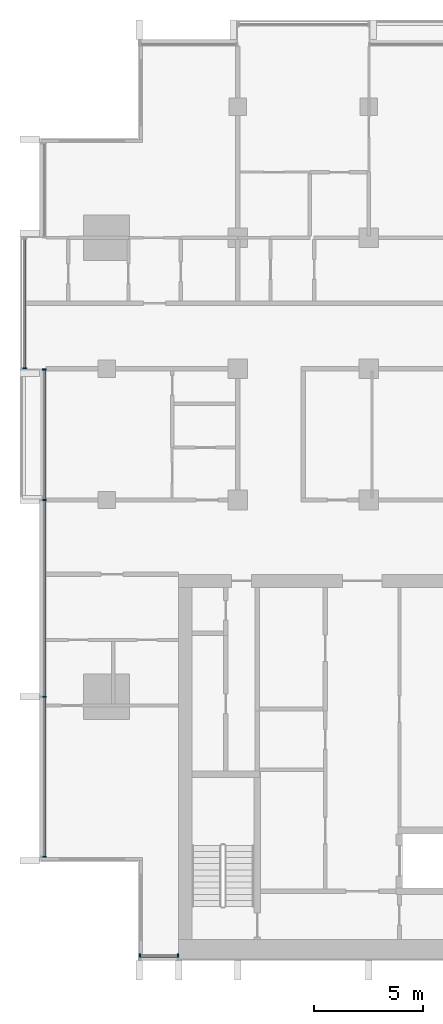
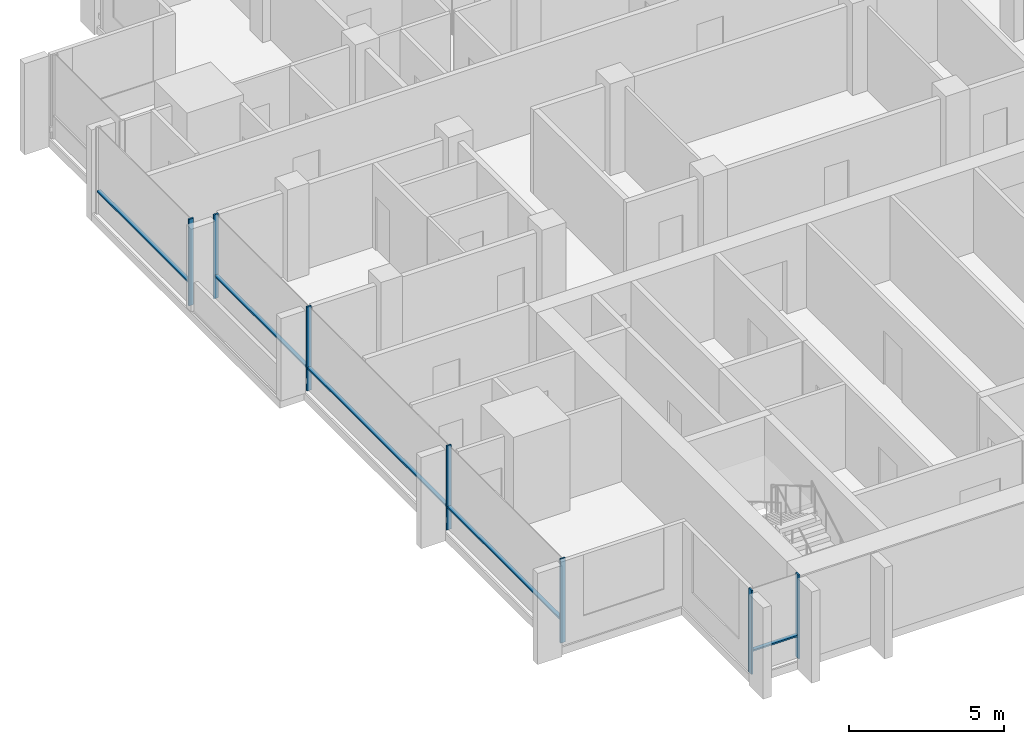
# One storey, part 2 of 16: 12 members, 3 elements without a shape of their own.
"""IFC4 building model written with IfcOpenShell, lengths in metres."""

from ifc_helpers import new_model, si_unit, direction, frame, origin, origin_2d, place, context, subcontext, project, spatial, rectangle, extrude, material, material_profile, profile_set, type_object, element, aggregate, save


model = new_model("IFC4")

# Units and contexts
model_context = context("Model", 3, precision=1e-05, world=origin(), true_north=direction((0.0, 1.0)))
body_context = subcontext(model_context, "Body", "Model", "MODEL_VIEW")
ifc_project = project(units=[si_unit("LENGTHUNIT", "METRE"), si_unit("AREAUNIT", "SQUARE_METRE"), si_unit("VOLUMEUNIT", "CUBIC_METRE"), si_unit("PLANEANGLEUNIT", "RADIAN"), si_unit("MASSUNIT", "GRAM", prefix="KILO")], contexts=[model_context])

# Site, building, storey
site_placement = place(None, origin())
site = spatial("IfcSite", under=ifc_project, at=site_placement, CompositionType="ELEMENT")
building_placement = place(site_placement, origin())
building = spatial("IfcBuilding", under=site, at=building_placement, Name="Finial Court Residences", CompositionType="ELEMENT")
storey_placement = place(building_placement, frame((0.0, 0.0, 219.5)))
storey = spatial("IfcBuildingStorey", under=building, at=storey_placement, Name="L55", CompositionType="ELEMENT", Elevation=219.5)

# Curtain wall, members
ifc_material = material(Name="Bronze anodised aluminium", Category="aluminium")
curtain_wall_type = type_object("IfcCurtainWallType", Name="Unitised curtain wall, upper zones", PredefinedType="NOTDEFINED", material=ifc_material)
curtain_wall_1_placement = place(storey_placement, origin())
curtain_wall_1 = element("IfcCurtainWall", 1, at=curtain_wall_1_placement, inside=storey, type_object=curtain_wall_type, Name="E-L55-CW-S8", PredefinedType="NOTDEFINED")
ifc_material_profile_1 = material_profile(ifc_material, rectangle(XDim=0.175048828125, YDim=0.06005859375, at=origin_2d()), Name="CW2 mullion 60 x 175")
ifc_profile_set_1 = profile_set([ifc_material_profile_1], Name="Bronze anodised aluminium")
member_type_1 = type_object("IfcMemberType", Name="CW2 mullion 60 x 175", PredefinedType="MULLION", material=ifc_profile_set_1)
member_1_placement = place(storey_placement, frame((-14.969970703125, -25.35009765625, 0.0), z_axis=(0.0, 0.0, 1.0), x_axis=(0.0, 1.0, 0.0)))
member_1 = element("IfcMember", 2, at=member_1_placement, type_object=member_type_1, Name="CW2 mullion 1", PredefinedType="MULLION", context=body_context, shape_type="SweptSolid", body=[
    extrude(rectangle(XDim=0.175048828125, YDim=0.06005859375, at=origin_2d()), origin(), (0.0, 0.0, 1.0), 3.300048828125),
])
member_2_placement = place(storey_placement, frame((-13.22998046875, -25.35009765625, 0.0), z_axis=(0.0, 0.0, 1.0), x_axis=(0.0, 1.0, 0.0)))
member_2 = element("IfcMember", 3, at=member_2_placement, type_object=member_type_1, Name="CW2 mullion 2", PredefinedType="MULLION", context=body_context, shape_type="SweptSolid", body=[
    extrude(rectangle(XDim=0.175048828125, YDim=0.06005859375, at=origin_2d()), origin(), (0.0, 0.0, 1.0), 3.300048828125),
])

curtain_wall_2_placement = place(storey_placement, origin())
curtain_wall_2 = element("IfcCurtainWall", 4, at=curtain_wall_2_placement, inside=storey, type_object=curtain_wall_type, Name="E-L55-CW-W10", PredefinedType="NOTDEFINED")
member_3_placement = place(storey_placement, frame((-19.35009765625, -20.820068359375, 0.0), z_axis=(0.0, 0.0, 1.0), x_axis=(-1.0, 0.0, 0.0)))
member_3 = element("IfcMember", 5, at=member_3_placement, type_object=member_type_1, Name="CW2 mullion 1", PredefinedType="MULLION", context=body_context, shape_type="SweptSolid", body=[
    extrude(rectangle(XDim=0.175048828125, YDim=0.06005859375, at=origin_2d()), origin(), (0.0, 0.0, 1.0), 3.300048828125),
])
member_4_placement = place(storey_placement, frame((-19.35009765625, -13.5, 0.0), z_axis=(0.0, 0.0, 1.0), x_axis=(-1.0, 0.0, 0.0)))
member_4 = element("IfcMember", 6, at=member_4_placement, type_object=member_type_1, Name="CW2 mullion 2", PredefinedType="MULLION", context=body_context, shape_type="SweptSolid", body=[
    extrude(rectangle(XDim=0.175048828125, YDim=0.06005859375, at=origin_2d()), origin(), (0.0, 0.0, 1.0), 3.300048828125),
])
member_5_placement = place(storey_placement, frame((-19.35009765625, -4.5, 0.0), z_axis=(0.0, 0.0, 1.0), x_axis=(-1.0, 0.0, 0.0)))
member_5 = element("IfcMember", 7, at=member_5_placement, type_object=member_type_1, Name="CW2 mullion 3", PredefinedType="MULLION", context=body_context, shape_type="SweptSolid", body=[
    extrude(rectangle(XDim=0.175048828125, YDim=0.06005859375, at=origin_2d()), origin(), (0.0, 0.0, 1.0), 3.300048828125),
])
member_6_placement = place(storey_placement, frame((-19.35009765625, 1.469970703125, 0.0), z_axis=(0.0, 0.0, 1.0), x_axis=(-1.0, 0.0, 0.0)))
member_6 = element("IfcMember", 8, at=member_6_placement, type_object=member_type_1, Name="CW2 mullion 4", PredefinedType="MULLION", context=body_context, shape_type="SweptSolid", body=[
    extrude(rectangle(XDim=0.175048828125, YDim=0.06005859375, at=origin_2d()), origin(), (0.0, 0.0, 1.0), 3.300048828125),
])

# Curtain wall, member
curtain_wall_3_placement = place(storey_placement, origin())
curtain_wall_3 = element("IfcCurtainWall", 9, at=curtain_wall_3_placement, inside=storey, type_object=curtain_wall_type, Name="E-L55-CW-W11", PredefinedType="NOTDEFINED")
member_7_placement = place(storey_placement, frame((-20.25, 1.530029296875, 0.0), z_axis=(0.0, 0.0, 1.0), x_axis=(-1.0, 0.0, 0.0)))
member_7 = element("IfcMember", 10, at=member_7_placement, type_object=member_type_1, Name="CW2 mullion 1", PredefinedType="MULLION", context=body_context, shape_type="SweptSolid", body=[
    extrude(rectangle(XDim=0.175048828125, YDim=0.06005859375, at=origin_2d()), origin(), (0.0, 0.0, 1.0), 3.39990234375),
])

# Member
ifc_material_profile_2 = material_profile(ifc_material, rectangle(XDim=0.139892578125, YDim=0.06005859375, at=origin_2d()), Name="CW2 transom 60 x 140")
ifc_profile_set_2 = profile_set([ifc_material_profile_2], Name="Bronze anodised aluminium")
member_type_2 = type_object("IfcMemberType", Name="CW2 transom 60 x 140", PredefinedType="USERDEFINED", material=ifc_profile_set_2)
member_8_placement = place(storey_placement, frame((-14.93994140625, -25.35009765625, 0.89990234375), z_axis=(1.0, 0.0, 0.0), x_axis=(0.0, 1.0, 0.0)))
member_8 = element("IfcMember", 11, at=member_8_placement, type_object=member_type_2, Name="CW2 transom 1.1", ObjectType="TRANSOM", PredefinedType="USERDEFINED", context=body_context, shape_type="SweptSolid", body=[
    extrude(rectangle(XDim=0.139892578125, YDim=0.06005859375, at=origin_2d()), origin(), (0.0, 0.0, 1.0), 1.679931640625),
])

aggregate(curtain_wall_1, [member_1, member_2, member_8])

member_9_placement = place(storey_placement, frame((-19.35009765625, -20.7900390625, 0.89990234375), z_axis=(0.0, 1.0, 0.0), x_axis=(-1.0, 0.0, 0.0)))
member_9 = element("IfcMember", 12, at=member_9_placement, type_object=member_type_2, Name="CW2 transom 1.1", ObjectType="TRANSOM", PredefinedType="USERDEFINED", context=body_context, shape_type="SweptSolid", body=[
    extrude(rectangle(XDim=0.139892578125, YDim=0.06005859375, at=origin_2d()), origin(), (0.0, 0.0, 1.0), 7.260009765625),
])

member_10_placement = place(storey_placement, frame((-19.35009765625, -13.469970703125, 0.89990234375), z_axis=(0.0, 1.0, 0.0), x_axis=(-1.0, 0.0, 0.0)))
member_10 = element("IfcMember", 13, at=member_10_placement, type_object=member_type_2, Name="CW2 transom 2.1", ObjectType="TRANSOM", PredefinedType="USERDEFINED", context=body_context, shape_type="SweptSolid", body=[
    extrude(rectangle(XDim=0.139892578125, YDim=0.06005859375, at=origin_2d()), origin(), (0.0, 0.0, 1.0), 8.93994140625),
])

member_11_placement = place(storey_placement, frame((-19.35009765625, -4.469970703125, 0.89990234375), z_axis=(0.0, 1.0, 0.0), x_axis=(-1.0, 0.0, 0.0)))
member_11 = element("IfcMember", 14, at=member_11_placement, type_object=member_type_2, Name="CW2 transom 3.1", ObjectType="TRANSOM", PredefinedType="USERDEFINED", context=body_context, shape_type="SweptSolid", body=[
    extrude(rectangle(XDim=0.139892578125, YDim=0.06005859375, at=origin_2d()), origin(), (0.0, 0.0, 1.0), 5.909912109375),
])

aggregate(curtain_wall_2, [member_3, member_4, member_5, member_6, member_9, member_10, member_11])

member_12_placement = place(storey_placement, frame((-20.25, 1.56005859375, 0.89990234375), z_axis=(0.0, 1.0, 0.0), x_axis=(-1.0, 0.0, 0.0)))
member_12 = element("IfcMember", 15, at=member_12_placement, type_object=member_type_2, Name="CW2 transom 1.1", ObjectType="TRANSOM", PredefinedType="USERDEFINED", context=body_context, shape_type="SweptSolid", body=[
    extrude(rectangle(XDim=0.139892578125, YDim=0.06005859375, at=origin_2d()), origin(), (0.0, 0.0, 1.0), 5.8798828125),
])

aggregate(curtain_wall_3, [member_7, member_12])

save(model, "model.ifc")
